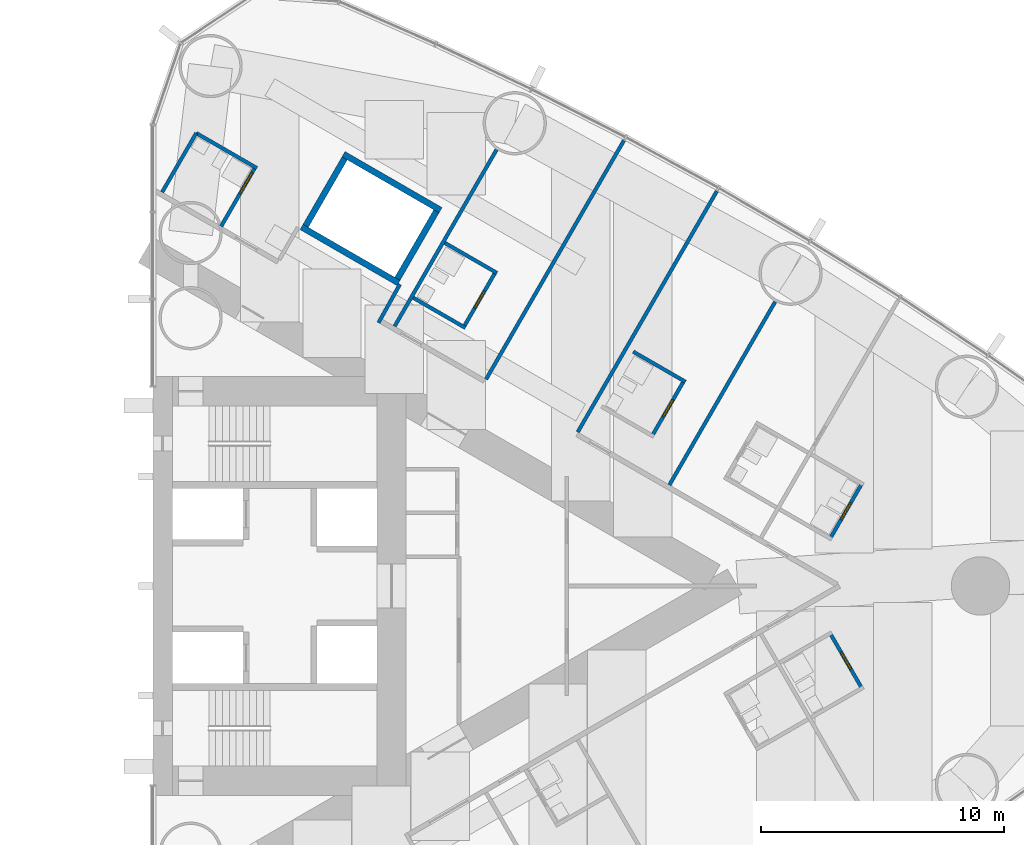
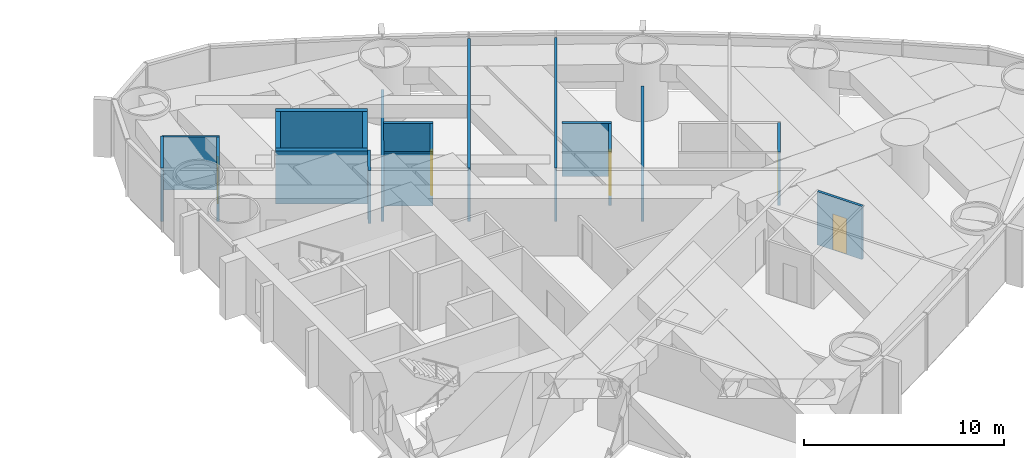
# One storey, part 15 of 18: 19 walls, 5 doors, 5 openings.
"""IFC4 building model written with IfcOpenShell, lengths in metres."""

from ifc_helpers import new_model, si_unit, direction, frame, frame_2d, origin, place, context, subcontext, project, spatial, rectangle, extrude, material, layer, layer_set, type_object, element, fill, save


model = new_model("IFC4")

# Units and contexts
model_context = context("Model", 3, precision=1e-05, world=origin(), true_north=direction((0.0, 1.0)))
body_context = subcontext(model_context, "Body", "Model", "MODEL_VIEW")
ifc_project = project(units=[si_unit("LENGTHUNIT", "METRE"), si_unit("AREAUNIT", "SQUARE_METRE"), si_unit("VOLUMEUNIT", "CUBIC_METRE"), si_unit("PLANEANGLEUNIT", "RADIAN"), si_unit("MASSUNIT", "GRAM", prefix="KILO")], contexts=[model_context])

# Site, building, storey
site_placement = place(None, origin())
site = spatial("IfcSite", under=ifc_project, at=site_placement, CompositionType="ELEMENT")
building_placement = place(site_placement, origin())
building = spatial("IfcBuilding", under=site, at=building_placement, Name="Lancet Gate Hotel", CompositionType="ELEMENT")
storey_placement = place(building_placement, frame((0.0, 0.0, 118.60009765625)))
storey = spatial("IfcBuildingStorey", under=building, at=storey_placement, Name="L31", CompositionType="ELEMENT", Elevation=118.60009765625)

# Wall, opening, door
ifc_material_1 = material(Name="Moisture resistant board partition")
ifc_layer_1 = layer(ifc_material_1, 0.14990234375)
ifc_layer_set_1 = layer_set([ifc_layer_1], Name="Bathroom wall 150")
wall_type_1 = type_object("IfcWallType", Name="Bathroom wall 150", PredefinedType="PARTITIONING", material=ifc_layer_set_1)
wall_1_placement = place(storey_placement, frame((55.32470703125, -1.949951171875, 0.0), z_axis=(0.0, 0.0, 1.0), x_axis=(0.500006934395, -0.866021400173, 0.0)))
wall_1 = element("IfcWall", 1, at=wall_1_placement, inside=storey, type_object=wall_type_1, Name="T2 bathroom wall 150 L31", PredefinedType="PARTITIONING", context=body_context, shape_type="SweptSolid", body=[
    extrude(rectangle(XDim=2.60009765625, YDim=0.14990234375, at=frame_2d((1.300048828125, 0.0))), origin(), (0.0, 0.0, 1.0), 3.25),
])
opening_1_placement = place(wall_1_placement, frame((0.89990234375, 0.0, 0.0)))
opening_1 = element("IfcOpeningElement", 2, at=opening_1_placement, cuts=wall_1, Name="Opening 3157-B", PredefinedType="OPENING", context=body_context, shape_type="SweptSolid", body=[
    extrude(rectangle(XDim=0.800048828125, YDim=2.199951171875, at=frame_2d((0.39990234375, 1.10009765625))), frame((0.0, 0.0849609375, 0.0), z_axis=(0.0, -1.0, 0.0), x_axis=(1.0, 0.0, 0.0)), (0.0, 0.0, 1.0), 0.169921875),
])
ifc_material_2 = material(Name="Timber door set", Category="wood")
door_type_1 = type_object("IfcDoorType", Name="Bathroom door 800", OperationType="SINGLE_SWING_RIGHT", PredefinedType="DOOR", material=ifc_material_2)
door_1_placement = place(opening_1_placement, origin())
door_1 = element("IfcDoor", 3, at=door_1_placement, inside=storey, type_object=door_type_1, Name="3157-B", OperationType="SINGLE_SWING_RIGHT", OverallHeight=2.199951171875, OverallWidth=0.800048828125, PredefinedType="DOOR", context=body_context, shape_type="SweptSolid", body=[
    extrude(rectangle(XDim=0.800048828125, YDim=2.199951171875, at=frame_2d((0.39990234375, 1.10009765625))), frame((0.0, 0.02490234375, 0.0), z_axis=(0.0, -1.0, 0.0), x_axis=(1.0, 0.0, 0.0)), (0.0, 0.0, 1.0), 0.050048828125),
])
fill(opening_1, door_1)

wall_2_placement = place(storey_placement, frame((55.32470703125, 1.949951171875, 0.0), z_axis=(0.0, 0.0, 1.0), x_axis=(0.500006934395, 0.866021400173, 0.0)))
wall_2 = element("IfcWall", 4, at=wall_2_placement, inside=storey, type_object=wall_type_1, Name="T2 bathroom wall 150 L31", PredefinedType="PARTITIONING", context=body_context, shape_type="SweptSolid", body=[
    extrude(rectangle(XDim=2.60009765625, YDim=0.14990234375, at=frame_2d((1.300048828125, 0.0))), origin(), (0.0, 0.0, 1.0), 3.25),
])
opening_2_placement = place(wall_2_placement, frame((0.89990234375, 0.0, 0.0)))
opening_2 = element("IfcOpeningElement", 5, at=opening_2_placement, cuts=wall_2, Name="Opening 3158-B", PredefinedType="OPENING", context=body_context, shape_type="SweptSolid", body=[
    extrude(rectangle(XDim=0.800048828125, YDim=2.199951171875, at=frame_2d((0.39990234375, 1.10009765625))), frame((0.0, 0.0849609375, 0.0), z_axis=(0.0, -1.0, 0.0), x_axis=(1.0, 0.0, 0.0)), (0.0, 0.0, 1.0), 0.169921875),
])
door_2_placement = place(opening_2_placement, origin())
door_2 = element("IfcDoor", 6, at=door_2_placement, inside=storey, type_object=door_type_1, Name="3158-B", OperationType="SINGLE_SWING_RIGHT", OverallHeight=2.199951171875, OverallWidth=0.800048828125, PredefinedType="DOOR", context=body_context, shape_type="SweptSolid", body=[
    extrude(rectangle(XDim=0.800048828125, YDim=2.199951171875, at=frame_2d((0.39990234375, 1.10009765625))), frame((0.0, 0.02490234375, 0.0), z_axis=(0.0, -1.0, 0.0), x_axis=(1.0, 0.0, 0.0)), (0.0, 0.0, 1.0), 0.050048828125),
])
fill(opening_2, door_2)

# Wall
wall_3_placement = place(storey_placement, frame((47.235107421875, 9.622802734375, 0.0), z_axis=(0.0, 0.0, 1.0), x_axis=(0.866006523861, -0.500032699561, 0.0)))
element("IfcWall", 7, at=wall_3_placement, inside=storey, type_object=wall_type_1, Name="T2 bathroom wall 150 L31", PredefinedType="PARTITIONING", context=body_context, shape_type="SweptSolid", body=[
    extrude(rectangle(XDim=2.474853515625, YDim=0.14990234375, at=frame_2d((1.2373046875, 0.0))), origin(), (0.0, 0.0, 1.0), 3.25),
])

# Wall, opening, door
wall_4_placement = place(storey_placement, frame((48.013427734375, 6.171142578125, 0.0), z_axis=(0.0, 0.0, 1.0), x_axis=(0.500006934395, 0.866021400173, 0.0)))
wall_4 = element("IfcWall", 8, at=wall_4_placement, inside=storey, type_object=wall_type_1, Name="T2 bathroom wall 150 L31", PredefinedType="PARTITIONING", context=body_context, shape_type="SweptSolid", body=[
    extrude(rectangle(XDim=2.60009765625, YDim=0.14990234375, at=frame_2d((1.300048828125, 0.0))), origin(), (0.0, 0.0, 1.0), 3.25),
])
opening_3_placement = place(wall_4_placement, frame((0.89990234375, 0.0, 0.0)))
opening_3 = element("IfcOpeningElement", 9, at=opening_3_placement, cuts=wall_4, Name="Opening 3160-B", PredefinedType="OPENING", context=body_context, shape_type="SweptSolid", body=[
    extrude(rectangle(XDim=0.800048828125, YDim=2.199951171875, at=frame_2d((0.39990234375, 1.10009765625))), frame((0.0, 0.0849609375, 0.0), z_axis=(0.0, -1.0, 0.0), x_axis=(1.0, 0.0, 0.0)), (0.0, 0.0, 1.0), 0.169921875),
])
door_3_placement = place(opening_3_placement, origin())
door_3 = element("IfcDoor", 10, at=door_3_placement, inside=storey, type_object=door_type_1, Name="3160-B", OperationType="SINGLE_SWING_RIGHT", OverallHeight=2.199951171875, OverallWidth=0.800048828125, PredefinedType="DOOR", context=body_context, shape_type="SweptSolid", body=[
    extrude(rectangle(XDim=0.800048828125, YDim=2.199951171875, at=frame_2d((0.39990234375, 1.10009765625))), frame((0.0, 0.02490234375, 0.0), z_axis=(0.0, -1.0, 0.0), x_axis=(1.0, 0.0, 0.0)), (0.0, 0.0, 1.0), 0.050048828125),
])
fill(opening_3, door_3)

# Wall
wall_5_placement = place(storey_placement, frame((39.4951171875, 14.091552734375, 0.0), z_axis=(0.0, 0.0, 1.0), x_axis=(0.866006523861, -0.500032699561, 0.0)))
element("IfcWall", 11, at=wall_5_placement, inside=storey, type_object=wall_type_1, Name="T2 bathroom wall 150 L31", PredefinedType="PARTITIONING", context=body_context, shape_type="SweptSolid", body=[
    extrude(rectangle(XDim=2.474853515625, YDim=0.14990234375, at=frame_2d((1.2373046875, 0.0))), origin(), (0.0, 0.0, 1.0), 3.25),
])

# Wall, opening, door
wall_6_placement = place(storey_placement, frame((40.273681640625, 10.639892578125, 0.0), z_axis=(0.0, 0.0, 1.0), x_axis=(0.49997716683, 0.86603858612, 0.0)))
wall_6 = element("IfcWall", 12, at=wall_6_placement, inside=storey, type_object=wall_type_1, Name="T2 bathroom wall 150 L31", PredefinedType="PARTITIONING", context=body_context, shape_type="SweptSolid", body=[
    extrude(rectangle(XDim=2.599609375, YDim=0.14990234375, at=frame_2d((1.2998046875, 0.0))), origin(), (0.0, 0.0, 1.0), 3.25),
])
opening_4_placement = place(wall_6_placement, frame((0.89990234375, 0.0, 0.0)))
opening_4 = element("IfcOpeningElement", 13, at=opening_4_placement, cuts=wall_6, Name="Opening 3162-B", PredefinedType="OPENING", context=body_context, shape_type="SweptSolid", body=[
    extrude(rectangle(XDim=0.800048828125, YDim=2.199951171875, at=frame_2d((0.39990234375, 1.10009765625))), frame((0.0, 0.0849609375, 0.0), z_axis=(0.0, -1.0, 0.0), x_axis=(1.0, 0.0, 0.0)), (0.0, 0.0, 1.0), 0.169921875),
])
door_4_placement = place(opening_4_placement, origin())
door_4 = element("IfcDoor", 14, at=door_4_placement, inside=storey, type_object=door_type_1, Name="3162-B", OperationType="SINGLE_SWING_RIGHT", OverallHeight=2.199951171875, OverallWidth=0.800048828125, PredefinedType="DOOR", context=body_context, shape_type="SweptSolid", body=[
    extrude(rectangle(XDim=0.800048828125, YDim=2.199951171875, at=frame_2d((0.39990234375, 1.10009765625))), frame((0.0, 0.02490234375, 0.0), z_axis=(0.0, -1.0, 0.0), x_axis=(1.0, 0.0, 0.0)), (0.0, 0.0, 1.0), 0.050048828125),
])
fill(opening_4, door_4)

# Walls
wall_7_placement = place(storey_placement, frame((38.195068359375, 11.83984375, 0.0), z_axis=(0.0, 0.0, 1.0), x_axis=(0.866031185235, -0.4999899861, 0.0)))
element("IfcWall", 15, at=wall_7_placement, inside=storey, type_object=wall_type_1, Name="T2 bathroom wall 150 L31", PredefinedType="PARTITIONING", context=body_context, shape_type="SweptSolid", body=[
    extrude(rectangle(XDim=2.47509765625, YDim=0.14990234375, at=frame_2d((1.237548828125, 0.0))), origin(), (0.0, 0.0, 1.0), 3.25),
])
wall_8_placement = place(storey_placement, frame((29.281982421875, 18.6025390625, 0.0), z_axis=(0.0, 0.0, 1.0), x_axis=(0.866018712932, -0.500011588718, 0.0)))
element("IfcWall", 16, at=wall_8_placement, inside=storey, type_object=wall_type_1, Name="T2 bathroom wall 150 L31", PredefinedType="PARTITIONING", context=body_context, shape_type="SweptSolid", body=[
    extrude(rectangle(XDim=2.875, YDim=0.14990234375, at=frame_2d((1.4375, 0.0))), origin(), (0.0, 0.0, 1.0), 3.25),
])

# Wall, opening, door
wall_9_placement = place(storey_placement, frame((30.306640625, 14.777587890625, 0.0), z_axis=(0.0, 0.0, 1.0), x_axis=(0.500049511043, 0.865996816683, 0.0)))
wall_9 = element("IfcWall", 17, at=wall_9_placement, inside=storey, type_object=wall_type_1, Name="T2 bathroom wall 150 L31", PredefinedType="PARTITIONING", context=body_context, shape_type="SweptSolid", body=[
    extrude(rectangle(XDim=2.800048828125, YDim=0.14990234375, at=frame_2d((1.39990234375, 0.0))), origin(), (0.0, 0.0, 1.0), 3.25),
])
opening_5_placement = place(wall_9_placement, frame((1.550048828125, 0.0, 0.0)))
opening_5 = element("IfcOpeningElement", 18, at=opening_5_placement, cuts=wall_9, Name="Opening 3163-B", PredefinedType="OPENING", context=body_context, shape_type="SweptSolid", body=[
    extrude(rectangle(XDim=1.0, YDim=2.199951171875, at=frame_2d((0.5, 1.10009765625))), frame((0.0, 0.0849609375, 0.0), z_axis=(0.0, -1.0, 0.0), x_axis=(1.0, 0.0, 0.0)), (0.0, 0.0, 1.0), 0.169921875),
])
ifc_material_3 = material(Name="Timber door set", Category="wood")
door_type_2 = type_object("IfcDoorType", Name="Accessible en-suite door 1000", OperationType="SINGLE_SWING_RIGHT", PredefinedType="DOOR", material=ifc_material_3)
door_5_placement = place(opening_5_placement, origin())
door_5 = element("IfcDoor", 19, at=door_5_placement, inside=storey, type_object=door_type_2, Name="3163-B", OperationType="SINGLE_SWING_RIGHT", OverallHeight=2.199951171875, OverallWidth=1.0, PredefinedType="DOOR", context=body_context, shape_type="SweptSolid", body=[
    extrude(rectangle(XDim=1.0, YDim=2.199951171875, at=frame_2d((0.5, 1.10009765625))), frame((0.0, 0.02490234375, 0.0), z_axis=(0.0, -1.0, 0.0), x_axis=(1.0, 0.0, 0.0)), (0.0, 0.0, 1.0), 0.050048828125),
])
fill(opening_5, door_5)

# Walls
wall_10_placement = place(storey_placement, frame((27.8818359375, 16.177490234375, 0.0), z_axis=(0.0, 0.0, 1.0), x_axis=(0.500011755427, 0.866018616679, 0.0)))
element("IfcWall", 20, at=wall_10_placement, inside=storey, type_object=wall_type_1, Name="T2 bathroom wall 150 L31", PredefinedType="PARTITIONING", context=body_context, shape_type="SweptSolid", body=[
    extrude(rectangle(XDim=2.80029296875, YDim=0.14990234375, at=frame_2d((1.400146484375, 0.0))), origin(), (0.0, 0.0, 1.0), 3.25),
])
ifc_material_4 = material(Name="Gypsum board partition")
ifc_layer_2 = layer(ifc_material_4, 0.25)
ifc_layer_set_2 = layer_set([ifc_layer_2], Name="Lift shaft partition 250")
wall_type_2 = type_object("IfcWallType", Name="Lift shaft partition 250", PredefinedType="PARTITIONING", material=ifc_layer_set_2)
for number, where, z_axis, x_axis, name in (
    (21, (33.6083984375, 14.747314453125, 0.0), (0.0, 0.0, 1.0), (0.866043305498, -0.49996899204, 0.0), "T2 lift shaft wall EX L31"),
    (22, (35.33349609375, 17.73583984375, 0.0), (0.0, 0.0, 1.0), (0.866043305498, -0.49996899204, 0.0), "T2 lift shaft wall EX L31"),
):
    element("IfcWall", number, at=place(storey_placement, frame(where, z_axis=z_axis, x_axis=x_axis)), inside=storey, type_object=wall_type_2, Name=name, PredefinedType="PARTITIONING", context=body_context, shape_type="SweptSolid", body=[
        extrude(rectangle(XDim=4.600341796875, YDim=0.25, at=frame_2d((2.30029296875, 0.0))), origin(), (0.0, 0.0, 1.0), 3.25),
    ])
for number, where, z_axis, x_axis, name in (
    (23, (33.779296875, 14.79296875, 0.0), (0.0, 0.0, 1.0), (0.499929347863, 0.866066190972, 0.0), "T2 lift shaft wall EX L31"),
    (24, (37.546630859375, 12.617919921875, 0.0), (0.0, 0.0, 1.0), (0.499929347863, 0.866066190972, 0.0), "T2 lift shaft wall EX L31"),
):
    element("IfcWall", number, at=place(storey_placement, frame(where, z_axis=z_axis, x_axis=x_axis)), inside=storey, type_object=wall_type_2, Name=name, PredefinedType="PARTITIONING", context=body_context, shape_type="SweptSolid", body=[
        extrude(rectangle(XDim=3.20068359375, YDim=0.25, at=frame_2d((1.600341796875, 0.0))), origin(), (0.0, 0.0, 1.0), 3.25),
    ])
ifc_material_5 = material(Name="Gypsum board partition")
ifc_layer_3 = layer(ifc_material_5, 0.14990234375)
ifc_layer_set_3 = layer_set([ifc_layer_3], Name="Party wall 150")
wall_type_3 = type_object("IfcWallType", Name="Party wall 150", PredefinedType="PARTITIONING", material=ifc_layer_set_3)
wall_11_placement = place(storey_placement, frame((37.43017578125, 10.664794921875, 0.0), z_axis=(0.0, 0.0, 1.0), x_axis=(0.499989991081, 0.866031182359, 0.0)))
element("IfcWall", 25, at=wall_11_placement, inside=storey, type_object=wall_type_3, Name="T2 party wall 150 L31", PredefinedType="PARTITIONING", context=body_context, shape_type="SweptSolid", body=[
    extrude(rectangle(XDim=8.373291015625, YDim=0.14990234375, at=frame_2d((4.1865234375, 0.0))), origin(), (0.0, 0.0, 1.0), 2.199951171875),
])
wall_12_placement = place(storey_placement, frame((41.18994140625, 8.494140625, 0.0), z_axis=(0.0, 0.0, 1.0), x_axis=(0.49999258054, 0.866029687369, 0.0)))
element("IfcWall", 26, at=wall_12_placement, inside=storey, type_object=wall_type_3, Name="T2 party wall 150 L31", PredefinedType="PARTITIONING", context=body_context, shape_type="SweptSolid", body=[
    extrude(rectangle(XDim=11.318115234375, YDim=0.14990234375, at=frame_2d((5.6591796875, 0.0))), origin(), (0.0, 0.0, 1.0), 3.25),
])
wall_13_placement = place(storey_placement, frame((44.95361328125, 6.3212890625, 0.0), z_axis=(0.0, 0.0, 1.0), x_axis=(0.500009815811, 0.866019736549, 0.0)))
element("IfcWall", 27, at=wall_13_placement, inside=storey, type_object=wall_type_3, Name="T2 party wall 150 L31", PredefinedType="PARTITIONING", context=body_context, shape_type="SweptSolid", body=[
    extrude(rectangle(XDim=11.423583984375, YDim=0.14990234375, at=frame_2d((5.7119140625, 0.0))), origin(), (0.0, 0.0, 1.0), 3.25),
])
wall_14_placement = place(storey_placement, frame((48.718505859375, 4.1474609375, 0.0), z_axis=(0.0, 0.0, 1.0), x_axis=(0.499993328235, 0.866029255696, 0.0)))
element("IfcWall", 28, at=wall_14_placement, inside=storey, type_object=wall_type_3, Name="T2 party wall 150 L31", PredefinedType="PARTITIONING", context=body_context, shape_type="SweptSolid", body=[
    extrude(rectangle(XDim=8.68603515625, YDim=0.14990234375, at=frame_2d((4.343017578125, 0.0))), origin(), (0.0, 0.0, 1.0), 2.199951171875),
])
ifc_material_6 = material(Name="Gypsum board partition")
ifc_layer_4 = layer(ifc_material_6, 0.14990234375)
ifc_layer_set_4 = layer_set([ifc_layer_4], Name="Service room wall 150")
wall_type_4 = type_object("IfcWallType", Name="Service room wall 150", PredefinedType="PARTITIONING", material=ifc_layer_set_4)
wall_15_placement = place(storey_placement, frame((36.77099609375, 10.814453125, 0.0), z_axis=(0.0, 0.0, 1.0), x_axis=(0.485585508183, 0.874189175317, 0.0)))
element("IfcWall", 29, at=wall_15_placement, inside=storey, type_object=wall_type_4, Name="T2 service room wall 150 L31", PredefinedType="PARTITIONING", context=body_context, shape_type="SweptSolid", body=[
    extrude(rectangle(XDim=1.804931640625, YDim=0.14990234375, at=frame_2d((0.90234375, 0.0))), origin(), (0.0, 0.0, 1.0), 3.25),
])

save(model, "model.ifc")
